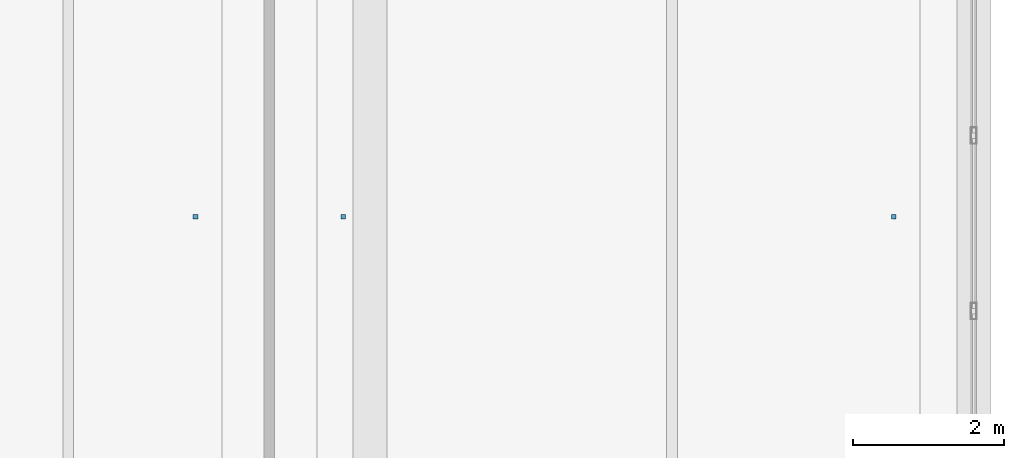
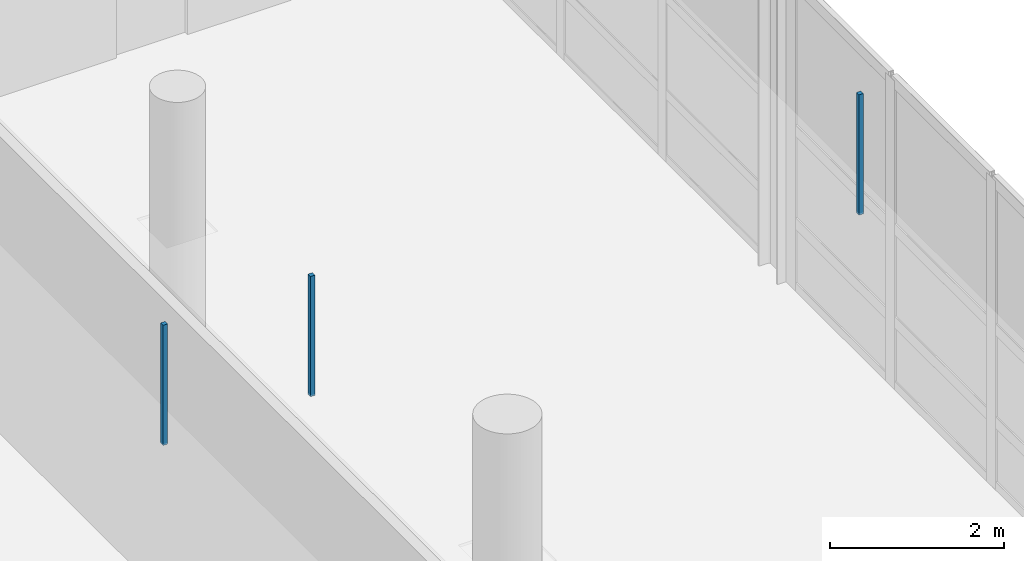
# One storey, part 94 of 126: 3 discrete accessories.
"""IFC4 building model written with IfcOpenShell, lengths in metres."""

from ifc_helpers import new_model, si_unit, direction, frame, origin, origin_2d, place, context, subcontext, project, spatial, rectangle, extrude, material, type_object, element, save


model = new_model("IFC4")

# Units and contexts
model_context = context("Model", 3, precision=1e-05, world=origin(), true_north=direction((0.0, 1.0)))
body_context = subcontext(model_context, "Body", "Model", "MODEL_VIEW")
ifc_project = project(units=[si_unit("LENGTHUNIT", "METRE"), si_unit("AREAUNIT", "SQUARE_METRE"), si_unit("VOLUMEUNIT", "CUBIC_METRE"), si_unit("PLANEANGLEUNIT", "RADIAN"), si_unit("MASSUNIT", "GRAM", prefix="KILO")], contexts=[model_context])

# Site, building, storey
site_placement = place(None, origin())
site = spatial("IfcSite", under=ifc_project, at=site_placement, CompositionType="ELEMENT")
building_placement = place(site_placement, origin())
building = spatial("IfcBuilding", under=site, at=building_placement, Name="Khelvaren Railside Concert Hall", CompositionType="ELEMENT")
storey_placement = place(building_placement, origin())
storey = spatial("IfcBuildingStorey", under=building, at=storey_placement, Name="L00", CompositionType="ELEMENT", Elevation=0.0)

# Discrete accessories
ifc_material = material(Name="Galvanised steel acoustic ceiling hanger rod", Category="steel")
discrete_accessory_type = type_object("IfcDiscreteAccessoryType", Name="BRK62", PredefinedType="BRACKET", material=ifc_material)
for number, where, z_axis, x_axis, name in (
    (1, (173.68603515625, 11.5, 3.429931640625), (0.0, 0.0, 1.0), (1.0, 0.0, 0.0), "Acoustic Ceiling Suspension Bracket 37-2"),
    (2, (175.64599609375, 11.5, 3.429931640625), (0.0, 0.0, 1.0), (1.0, 0.0, 0.0), "Acoustic Ceiling Suspension Bracket 38-1"),
    (3, (182.93994140625, 11.5, 3.429931640625), (0.0, 0.0, 1.0), (1.0, 0.0, 0.0), "Acoustic Ceiling Suspension Bracket 38-2"),
):
    element("IfcDiscreteAccessory", number, at=place(storey_placement, frame(where, z_axis=z_axis, x_axis=x_axis)), inside=storey, type_object=discrete_accessory_type, Name=name, PredefinedType="BRACKET", context=body_context, shape_type="SweptSolid", body=[
        extrude(rectangle(XDim=0.06005859375, YDim=0.06005859375, at=origin_2d()), origin(), (0.0, 0.0, 1.0), 1.68994140625),
    ])

save(model, "model.ifc")
